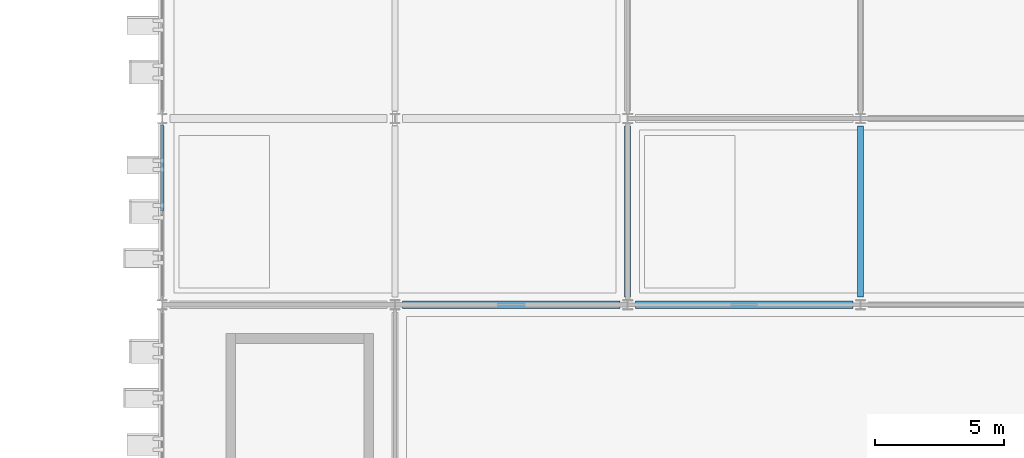
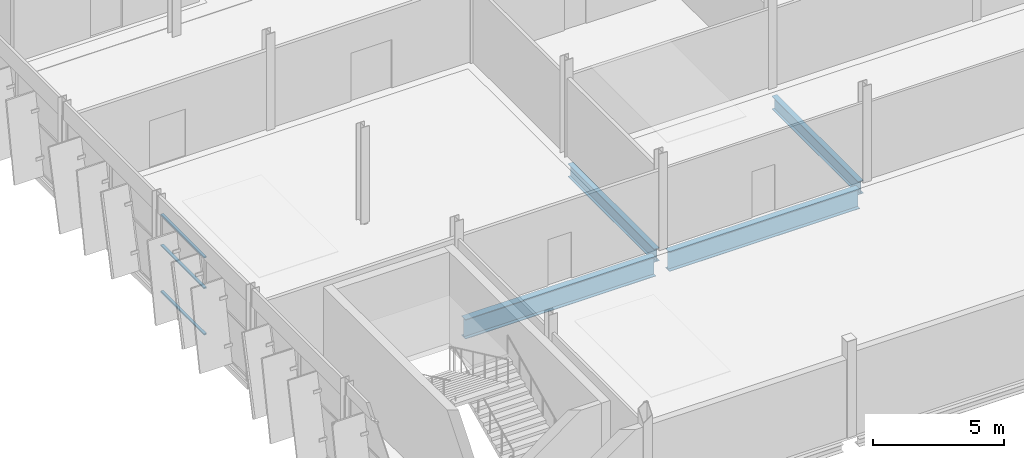
# One storey, part 27 of 78: 4 beams, 3 members, 1 element without a shape of its own.
"""IFC4 building model written with IfcOpenShell, lengths in metres."""

from ifc_helpers import new_model, si_unit, direction, frame, origin, origin_2d, place, context, subcontext, project, spatial, hollow_rectangle, i_section, extrude, material, layer, layer_set, material_profile, profile_set, type_object, element, aggregate, save


model = new_model("IFC4")

# Units and contexts
model_context = context("Model", 3, precision=1e-05, world=origin(), true_north=direction((0.0, 1.0)))
body_context = subcontext(model_context, "Body", "Model", "MODEL_VIEW")
ifc_project = project(units=[si_unit("LENGTHUNIT", "METRE"), si_unit("AREAUNIT", "SQUARE_METRE"), si_unit("VOLUMEUNIT", "CUBIC_METRE"), si_unit("PLANEANGLEUNIT", "RADIAN"), si_unit("MASSUNIT", "GRAM", prefix="KILO")], contexts=[model_context])

# Site, building, storey
site_placement = place(None, origin())
site = spatial("IfcSite", under=ifc_project, at=site_placement, CompositionType="ELEMENT")
building_placement = place(site_placement, origin())
building = spatial("IfcBuilding", under=site, at=building_placement, Name="Celestram Park Convention Centre", CompositionType="ELEMENT")
storey_placement = place(building_placement, frame((0.0, 0.0, 19.800048828125)))
storey = spatial("IfcBuildingStorey", under=building, at=storey_placement, Name="L04", CompositionType="ELEMENT", Elevation=19.800048828125)

# Curtain wall, members
ifc_material_1 = material(Name="Anodised Aluminium Alloy 6063-T6", Category="aluminium")
ifc_layer = layer(ifc_material_1, 0.179931640625)
ifc_layer_set = layer_set([ifc_layer], Name="Anodised Aluminium Alloy 6063-T6")
curtain_wall_type = type_object("IfcCurtainWallType", Name="ARC-CW-683X365", PredefinedType="NOTDEFINED", material=ifc_layer_set)
curtain_wall_placement = place(storey_placement, origin())
curtain_wall = element("IfcCurtainWall", 1, at=curtain_wall_placement, inside=storey, type_object=curtain_wall_type, Name="Unitised curtain wall CU-L04-231", PredefinedType="NOTDEFINED")
ifc_material_profile_1 = material_profile(ifc_material_1, hollow_rectangle(XDim=0.1201171875, YDim=0.06005859375, WallThickness=0.0029296875, at=origin_2d()), Name="ALU120X60X3")
ifc_profile_set_1 = profile_set([ifc_material_profile_1], Name="Anodised Aluminium Alloy 6063-T6")
member_type = type_object("IfcMemberType", Name="ARC-CWT-120", PredefinedType="USERDEFINED", material=ifc_profile_set_1)
member_1_placement = place(storey_placement, frame((36.0, 126.032470703125, 0.030029296875), z_axis=(0.0, 1.0, 0.0), x_axis=(-1.0, 0.0, 0.0)))
member_1 = element("IfcMember", 2, at=member_1_placement, type_object=member_type, Name="CW-68X36 transom 2.1", ObjectType="TRANSOM", PredefinedType="USERDEFINED", context=body_context, shape_type="SweptSolid", body=[
    extrude(hollow_rectangle(XDim=0.1201171875, YDim=0.06005859375, WallThickness=0.0029296875, at=origin_2d()), origin(), (0.0, 0.0, 1.0), 3.318115234375),
])
member_2_placement = place(storey_placement, frame((36.0, 126.032470703125, 2.18896484375), z_axis=(0.0, 1.0, 0.0), x_axis=(-1.0, 0.0, 0.0)))
member_2 = element("IfcMember", 3, at=member_2_placement, type_object=member_type, Name="CW-68X36 transom 2.2", ObjectType="TRANSOM", PredefinedType="USERDEFINED", context=body_context, shape_type="SweptSolid", body=[
    extrude(hollow_rectangle(XDim=0.1201171875, YDim=0.06005859375, WallThickness=0.0029296875, at=origin_2d()), origin(), (0.0, 0.0, 1.0), 3.318115234375),
])
member_3_placement = place(storey_placement, frame((36.0, 126.032470703125, 3.617919921875), z_axis=(0.0, 1.0, 0.0), x_axis=(-1.0, 0.0, 0.0)))
member_3 = element("IfcMember", 4, at=member_3_placement, type_object=member_type, Name="CW-68X36 transom 2.3", ObjectType="TRANSOM", PredefinedType="USERDEFINED", context=body_context, shape_type="SweptSolid", body=[
    extrude(hollow_rectangle(XDim=0.1201171875, YDim=0.06005859375, WallThickness=0.0029296875, at=origin_2d()), origin(), (0.0, 0.0, 1.0), 3.318115234375),
])
aggregate(curtain_wall, [member_1, member_2, member_3])

# Beams
ifc_material_2 = material(Name="Steel ASTM A992 Grade 50", Category="steel")
ifc_material_profile_2 = material_profile(ifc_material_2, i_section(OverallWidth=0.22900390625, OverallDepth=0.612060546875, WebThickness=0.011962890625, FlangeThickness=0.01953125, at=origin_2d()), Name="W24X84")
ifc_profile_set_2 = profile_set([ifc_material_profile_2], Name="Steel ASTM A992 Grade 50")
beam_type_1 = type_object("IfcBeamType", Name="STR-BM-W24X84", PredefinedType="BEAM", material=ifc_profile_set_2)
for number, where, z_axis, x_axis, name in (
    (5, (54.0, 122.697998046875, -0.55615234375), (0.0, 1.0, 0.0), (-1.0, 0.0, 0.0), "Primary Y-girder BG-L04-0033"),
    (6, (63.0, 122.697998046875, -0.55615234375), (0.0, 1.0, 0.0), (-1.0, 0.0, 0.0), "Primary Y-girder BG-L04-0047"),
):
    element("IfcBeam", number, at=place(storey_placement, frame(where, z_axis=z_axis, x_axis=x_axis)), inside=storey, type_object=beam_type_1, Name=name, PredefinedType="BEAM", context=body_context, shape_type="SweptSolid", body=[
        extrude(i_section(OverallWidth=0.22900390625, OverallDepth=0.612060546875, WebThickness=0.011962890625, FlangeThickness=0.01953125, at=origin_2d()), origin(), (0.0, 0.0, 1.0), 6.60400390625),
    ])
ifc_material_profile_3 = material_profile(ifc_material_2, i_section(OverallWidth=0.304931640625, OverallDepth=0.9140625, WebThickness=0.0166015625, FlangeThickness=0.02587890625, at=origin_2d()), Name="W36X160")
ifc_profile_set_3 = profile_set([ifc_material_profile_3], Name="Steel ASTM A992 Grade 50")
beam_type_2 = type_object("IfcBeamType", Name="STR-BM-W36X160", PredefinedType="BEAM", material=ifc_profile_set_3)
for number, where, z_axis, x_axis, name in (
    (7, (45.298095703125, 122.39990234375, -0.70703125), (1.0, 0.0, 0.0), (0.0, 1.0, 0.0), "Primary X-girder BG-L04-0018"),
    (8, (54.298095703125, 122.39990234375, -0.70703125), (1.0, 0.0, 0.0), (0.0, 1.0, 0.0), "Primary X-girder BG-L04-0032"),
):
    element("IfcBeam", number, at=place(storey_placement, frame(where, z_axis=z_axis, x_axis=x_axis)), inside=storey, type_object=beam_type_2, Name=name, PredefinedType="BEAM", context=body_context, shape_type="SweptSolid", body=[
        extrude(i_section(OverallWidth=0.304931640625, OverallDepth=0.9140625, WebThickness=0.0166015625, FlangeThickness=0.02587890625, at=origin_2d()), origin(), (0.0, 0.0, 1.0), 8.40380859375),
    ])

save(model, "model.ifc")
